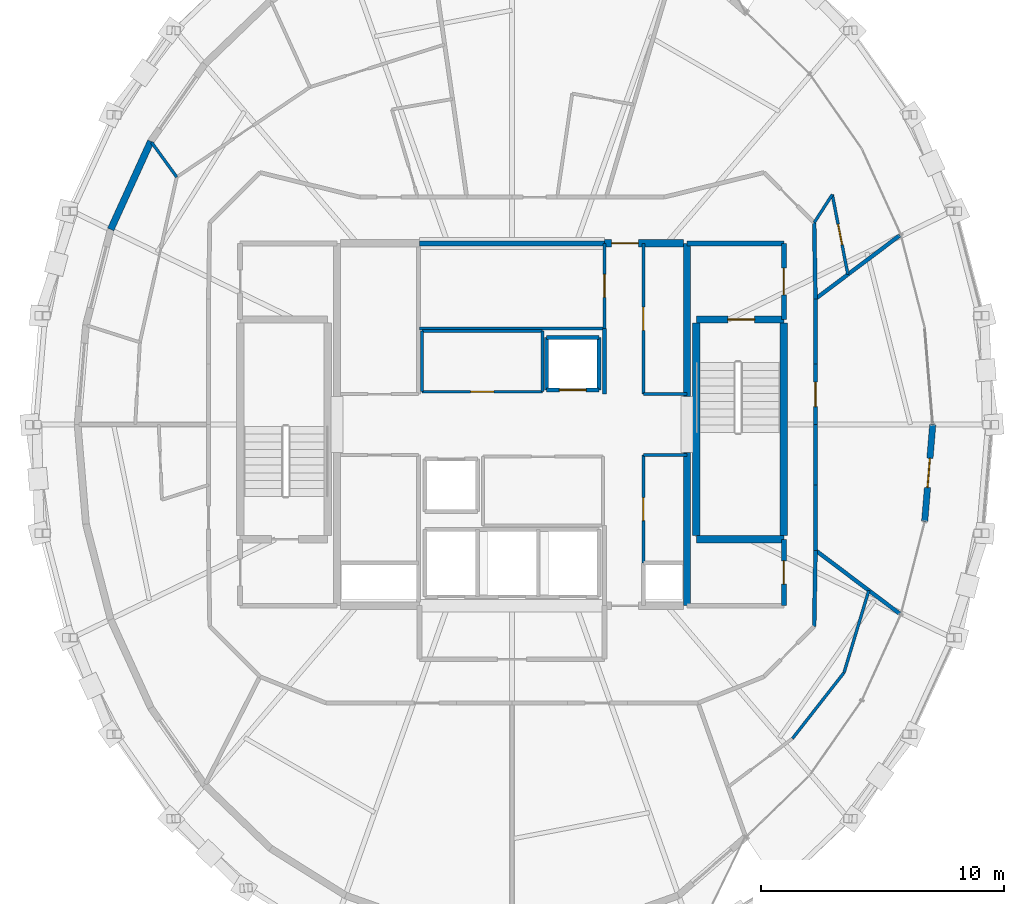
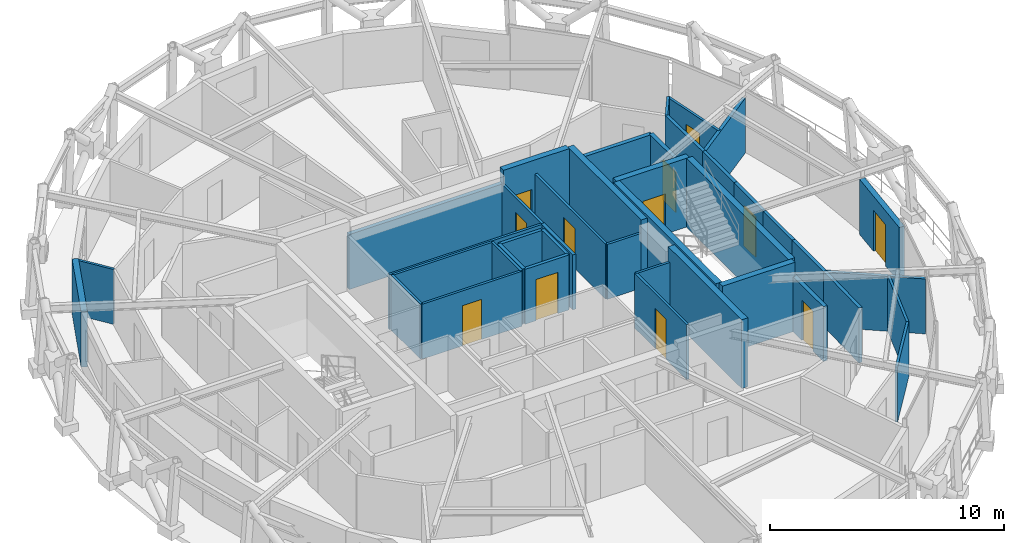
# One storey, part 13 of 15: 41 walls, 12 doors, 12 openings.
"""IFC4 building model written with IfcOpenShell, lengths in metres."""

from ifc_helpers import new_model, si_unit, direction, frame, frame_2d, origin, place, context, subcontext, project, spatial, rectangle, extrude, material, layer, layer_set, type_object, element, fill, save


model = new_model("IFC4")

# Units and contexts
model_context = context("Model", 3, precision=1e-05, world=origin(), true_north=direction((0.0, 1.0)))
body_context = subcontext(model_context, "Body", "Model", "MODEL_VIEW")
ifc_project = project(units=[si_unit("LENGTHUNIT", "METRE"), si_unit("AREAUNIT", "SQUARE_METRE"), si_unit("VOLUMEUNIT", "CUBIC_METRE"), si_unit("PLANEANGLEUNIT", "RADIAN"), si_unit("MASSUNIT", "GRAM", prefix="KILO")], contexts=[model_context])

# Site, building, storey
site_placement = place(None, origin())
site = spatial("IfcSite", under=ifc_project, at=site_placement, CompositionType="ELEMENT")
building_placement = place(site_placement, origin())
building = spatial("IfcBuilding", under=site, at=building_placement, Name="Veldorina Hangang Commons", CompositionType="ELEMENT")
storey_placement = place(building_placement, frame((0.0, 0.0, 290.39990234375)))
storey = spatial("IfcBuildingStorey", under=building, at=storey_placement, Name="L76", CompositionType="ELEMENT", Elevation=290.39990234375)

# Walls
ifc_material_1 = material(Name="Concrete C50/60", Category="concrete")
ifc_layer_1 = layer(ifc_material_1, 0.300048828125)
ifc_layer_set_1 = layer_set([ifc_layer_1], Name="Concrete C50/60")
wall_type_1 = type_object("IfcWallType", Name="CW-RC300-C50", PredefinedType="SHEAR", material=ifc_layer_set_1)
for number, where, z_axis, x_axis, name in (
    (1, (39.199951171875, 16.550048828125, 0.0), (0.0, 0.0, 1.0), (0.0, 1.0, 0.0), "L76 E south core shear wall"),
    (2, (39.199951171875, 25.14990234375, 0.0), (0.0, 0.0, 1.0), (0.0, 1.0, 0.0), "L76 E north core shear wall"),
):
    element("IfcWall", number, at=place(storey_placement, frame(where, z_axis=z_axis, x_axis=x_axis)), inside=storey, type_object=wall_type_1, Name=name, PredefinedType="SHEAR", context=body_context, shape_type="SweptSolid", body=[
        extrude(rectangle(XDim=6.300048828125, YDim=0.300048828125, at=frame_2d((3.14990234375, 0.0))), origin(), (0.0, 0.0, 1.0), 3.60009765625),
    ])

# Wall, opening, door
wall_1_placement = place(storey_placement, frame((35.800048828125, 31.449951171875, 0.0), z_axis=(0.0, 0.0, 1.0), x_axis=(1.0, 0.0, 0.0)))
wall_1 = element("IfcWall", 3, at=wall_1_placement, inside=storey, type_object=wall_type_1, Name="L76 north-east core shear wall", PredefinedType="SHEAR", context=body_context, shape_type="SweptSolid", body=[
    extrude(rectangle(XDim=3.25, YDim=0.300048828125, at=frame_2d((1.625, 0.0))), origin(), (0.0, 0.0, 1.0), 3.60009765625),
])
opening_1_placement = place(wall_1_placement, frame((0.300048828125, 0.0, 0.0)))
opening_1 = element("IfcOpeningElement", 4, at=opening_1_placement, cuts=wall_1, Name="Opening D-08", PredefinedType="OPENING", context=body_context, shape_type="SweptSolid", body=[
    extrude(rectangle(XDim=1.10009765625, YDim=2.10009765625, at=frame_2d((0.550048828125, 1.050048828125))), frame((0.0, 0.16015625, 0.0), z_axis=(0.0, -1.0, 0.0), x_axis=(1.0, 0.0, 0.0)), (0.0, 0.0, 1.0), 0.320068359375),
])
ifc_material_2 = material(Name="Steel Fire-Rated Smoke Seal", Category="steel")
door_type_1 = type_object("IfcDoorType", Name="DR-FIRE-1100", OperationType="SINGLE_SWING_RIGHT", PredefinedType="DOOR", material=ifc_material_2)
door_1_placement = place(opening_1_placement, origin())
door_1 = element("IfcDoor", 5, at=door_1_placement, inside=storey, type_object=door_type_1, Name="L76 central lift lobby north corridor door", OperationType="SINGLE_SWING_LEFT", OverallHeight=2.10009765625, OverallWidth=1.10009765625, PredefinedType="DOOR", context=body_context, shape_type="SweptSolid", body=[
    extrude(rectangle(XDim=1.10009765625, YDim=2.10009765625, at=frame_2d((0.550048828125, 1.050048828125))), frame((0.0, 0.02490234375, 0.0), z_axis=(0.0, -1.0, 0.0), x_axis=(1.0, 0.0, 0.0)), (0.0, 0.0, 1.0), 0.050048828125),
])
fill(opening_1, door_1)

ifc_material_3 = material(Name="Stone Roman Travertine", Category="masonry")
ifc_layer_2 = layer(ifc_material_3, 0.260009765625)
ifc_layer_set_2 = layer_set([ifc_layer_2], Name="Stone Roman Travertine")
wall_type_2 = type_object("IfcWallType", Name="EW-LOGGIA-260", PredefinedType="STANDARD", material=ifc_layer_set_2)
wall_2_placement = place(storey_placement, frame((48.968994140625, 20.019287109375, 0.0), z_axis=(0.0, 0.0, 1.0), x_axis=(0.083182046928, 0.996534368233, 0.0)))
wall_2 = element("IfcWall", 6, at=wall_2_placement, inside=storey, type_object=wall_type_2, Name="L76 sky-garden loggia portal wall 31", PredefinedType="STANDARD", context=body_context, shape_type="SweptSolid", body=[
    extrude(rectangle(XDim=3.99462890625, YDim=0.260009765625, at=frame_2d((1.997314453125, 0.0))), origin(), (0.0, 0.0, 1.0), 2.880126953125),
])
opening_2_placement = place(wall_2_placement, frame((1.397216796875, 0.0, 0.0)))
opening_2 = element("IfcOpeningElement", 7, at=opening_2_placement, cuts=wall_2, Name="Opening BD-1200", PredefinedType="OPENING", context=body_context, shape_type="SweptSolid", body=[
    extrude(rectangle(XDim=1.199951171875, YDim=2.14990234375, at=frame_2d((0.60009765625, 1.074951171875))), frame((0.0, 0.14013671875, 0.0), z_axis=(0.0, -1.0, 0.0), x_axis=(1.0, 0.0, 0.0)), (0.0, 0.0, 1.0), 0.280029296875),
])
ifc_material_4 = material(Name="Glass Thermal Aluminium Frame", Category="aluminium")
door_type_2 = type_object("IfcDoorType", Name="DR-EXT-LOG1200", OperationType="SINGLE_SWING_LEFT", PredefinedType="DOOR", material=ifc_material_4)
door_2_placement = place(opening_2_placement, origin())
door_2 = element("IfcDoor", 8, at=door_2_placement, inside=storey, type_object=door_type_2, Name="L76 loggia glazed exterior door 31", OperationType="SINGLE_SWING_RIGHT", OverallHeight=2.14990234375, OverallWidth=1.199951171875, PredefinedType="DOOR", context=body_context, shape_type="SweptSolid", body=[
    extrude(rectangle(XDim=1.199951171875, YDim=2.14990234375, at=frame_2d((0.60009765625, 1.074951171875))), frame((0.0, 0.02490234375, 0.0), z_axis=(0.0, -1.0, 0.0), x_axis=(1.0, 0.0, 0.0)), (0.0, 0.0, 1.0), 0.050048828125),
])
fill(opening_2, door_2)

# Walls
ifc_layer_3 = layer(ifc_material_3, 0.280029296875)
ifc_layer_set_3 = layer_set([ifc_layer_3], Name="Stone Roman Travertine")
wall_type_3 = type_object("IfcWallType", Name="EW-TRAV-280", PredefinedType="STANDARD", material=ifc_layer_set_3)
wall_3_placement = place(storey_placement, frame((17.14892578125, 35.647216796875, 0.0), z_axis=(0.0, 0.0, 1.0), x_axis=(-0.414454053433, -0.910070237725, 0.0)))
element("IfcWall", 9, at=wall_3_placement, inside=storey, type_object=wall_type_3, Name="L76 travertine facade wall 13", PredefinedType="STANDARD", context=body_context, shape_type="SweptSolid", body=[
    extrude(rectangle(XDim=3.982666015625, YDim=0.280029296875, at=frame_2d((1.9912109375, 0.0))), origin(), (0.0, 0.0, 1.0), 2.880126953125),
])
ifc_layer_4 = layer(ifc_material_1, 0.300048828125)
ifc_layer_set_4 = layer_set([ifc_layer_4], Name="Concrete C50/60")
wall_type_4 = type_object("IfcWallType", Name="SW-STAIR-300", PredefinedType="SHEAR", material=ifc_layer_set_4)
for number, where, z_axis, x_axis, name in (
    (10, (43.179931640625, 19.429931640625, 0.0), (0.0, 0.0, 1.0), (0.0, 1.0, 0.0), "L76 ST2 outer stair shear wall"),
    (11, (39.580078125, 19.429931640625, 0.0), (0.0, 0.0, 1.0), (0.0, 1.0, 0.0), "L76 ST2 inner stair shear wall"),
):
    element("IfcWall", number, at=place(storey_placement, frame(where, z_axis=z_axis, x_axis=x_axis)), inside=storey, type_object=wall_type_4, Name=name, PredefinedType="SHEAR", context=body_context, shape_type="SweptSolid", body=[
        extrude(rectangle(XDim=8.739990234375, YDim=0.300048828125, at=frame_2d((4.3701171875, 0.0))), origin(), (0.0, 0.0, 1.0), 3.60009765625),
    ])
wall_4_placement = place(storey_placement, frame((39.580078125, 19.280029296875, 0.0), z_axis=(0.0, 0.0, 1.0), x_axis=(1.0, 0.0, 0.0)))
element("IfcWall", 12, at=wall_4_placement, inside=storey, type_object=wall_type_4, Name="L76 ST2 south stair shear wall", PredefinedType="SHEAR", context=body_context, shape_type="SweptSolid", body=[
    extrude(rectangle(XDim=3.599853515625, YDim=0.300048828125, at=frame_2d((1.7998046875, 0.0))), origin(), (0.0, 0.0, 1.0), 3.60009765625),
])

# Wall, opening, door
wall_5_placement = place(storey_placement, frame((39.580078125, 28.320068359375, 0.0), z_axis=(0.0, 0.0, 1.0), x_axis=(1.0, 0.0, 0.0)))
wall_5 = element("IfcWall", 13, at=wall_5_placement, inside=storey, type_object=wall_type_4, Name="L76 ST2 north stair shear wall", PredefinedType="SHEAR", context=body_context, shape_type="SweptSolid", body=[
    extrude(rectangle(XDim=3.599853515625, YDim=0.300048828125, at=frame_2d((1.7998046875, 0.0))), origin(), (0.0, 0.0, 1.0), 3.60009765625),
])
opening_3_placement = place(wall_5_placement, frame((1.300048828125, 0.0, 0.0)))
opening_3 = element("IfcOpeningElement", 14, at=opening_3_placement, cuts=wall_5, Name="Opening D-08", PredefinedType="OPENING", context=body_context, shape_type="SweptSolid", body=[
    extrude(rectangle(XDim=1.10009765625, YDim=2.10009765625, at=frame_2d((0.550048828125, 1.050048828125))), frame((0.0, 0.16015625, 0.0), z_axis=(0.0, -1.0, 0.0), x_axis=(1.0, 0.0, 0.0)), (0.0, 0.0, 1.0), 0.320068359375),
])
door_3_placement = place(opening_3_placement, origin())
door_3 = element("IfcDoor", 15, at=door_3_placement, inside=storey, type_object=door_type_1, Name="L76 Special Escape Stair ST-2 door", OperationType="SINGLE_SWING_RIGHT", OverallHeight=2.10009765625, OverallWidth=1.10009765625, PredefinedType="DOOR", context=body_context, shape_type="SweptSolid", body=[
    extrude(rectangle(XDim=1.10009765625, YDim=2.10009765625, at=frame_2d((0.550048828125, 1.050048828125))), frame((0.0, 0.02490234375, 0.0), z_axis=(0.0, -1.0, 0.0), x_axis=(1.0, 0.0, 0.0)), (0.0, 0.0, 1.0), 0.050048828125),
])
fill(opening_3, door_3)

# Wall
ifc_material_5 = material(Name="Gypsum Fire-Rated Twin Stud Wall", Category="gypsum")
ifc_layer_5 = layer(ifc_material_5, 0.159912109375)
ifc_layer_set_5 = layer_set([ifc_layer_5], Name="Gypsum Fire-Rated Twin Stud Wall")
wall_type_5 = type_object("IfcWallType", Name="WL-FIRE-160", PredefinedType="SOLIDWALL", material=ifc_layer_set_5)
wall_6_placement = place(storey_placement, frame((35.800048828125, 25.25, 0.0), z_axis=(0.0, 0.0, 1.0), x_axis=(0.0, 1.0, 0.0)))
element("IfcWall", 16, at=wall_6_placement, inside=storey, type_object=wall_type_5, Name="L76 Lift passage NW lower wall 011", PredefinedType="SOLIDWALL", context=body_context, shape_type="SweptSolid", body=[
    extrude(rectangle(XDim=2.699951171875, YDim=0.159912109375, at=frame_2d((1.35009765625, 0.0))), origin(), (0.0, 0.0, 1.0), 2.8701171875),
])

# Wall, opening, door
wall_7_placement = place(storey_placement, frame((33.419921875, 25.419921875, 0.0), z_axis=(0.0, 0.0, 1.0), x_axis=(1.0, 0.0, 0.0)))
wall_7 = element("IfcWall", 17, at=wall_7_placement, inside=storey, type_object=wall_type_5, Name="L76 Mid-high front shaft wall 015", PredefinedType="SOLIDWALL", context=body_context, shape_type="SweptSolid", body=[
    extrude(rectangle(XDim=2.16015625, YDim=0.159912109375, at=frame_2d((1.080078125, 0.0))), origin(), (0.0, 0.0, 1.0), 2.8701171875),
])
opening_4_placement = place(wall_7_placement, frame((0.530029296875, 0.0, 0.0)))
opening_4 = element("IfcOpeningElement", 18, at=opening_4_placement, cuts=wall_7, Name="Opening LD-01", PredefinedType="OPENING", context=body_context, shape_type="SweptSolid", body=[
    extrude(rectangle(XDim=1.10009765625, YDim=2.14990234375, at=frame_2d((0.550048828125, 1.074951171875))), frame((0.0, 0.08984375, 0.0), z_axis=(0.0, -1.0, 0.0), x_axis=(1.0, 0.0, 0.0)), (0.0, 0.0, 1.0), 0.179931640625),
])
ifc_material_6 = material(Name="Stainless Steel Brushed Lift Door", Category="steel")
door_type_3 = type_object("IfcDoorType", Name="DR-LIFT-1100", OperationType="SLIDING_TO_LEFT", PredefinedType="DOOR", material=ifc_material_6)
door_4_placement = place(opening_4_placement, origin())
door_4 = element("IfcDoor", 19, at=door_4_placement, inside=storey, type_object=door_type_3, Name="L76 Lift PL-H1 landing door 006", OperationType="SLIDING_TO_RIGHT", OverallHeight=2.14990234375, OverallWidth=1.10009765625, PredefinedType="DOOR", context=body_context, shape_type="SweptSolid", body=[
    extrude(rectangle(XDim=1.10009765625, YDim=2.14990234375, at=frame_2d((0.550048828125, 1.074951171875))), frame((0.0, 0.02490234375, 0.0), z_axis=(0.0, -1.0, 0.0), x_axis=(1.0, 0.0, 0.0)), (0.0, 0.0, 1.0), 0.050048828125),
])
fill(opening_4, door_4)

# Walls
for number, where, z_axis, x_axis, name in (
    (20, (33.419921875, 27.580078125, 0.0), (0.0, 0.0, 1.0), (1.0, 0.0, 0.0), "L76 Mid-high rear shaft wall 016"),
    (21, (33.419921875, 25.419921875, 0.0), (0.0, 0.0, 1.0), (0.0, 1.0, 0.0), "L76 PL-H1 west shaft wall 017"),
    (22, (35.580078125, 25.419921875, 0.0), (0.0, 0.0, 1.0), (0.0, 1.0, 0.0), "L76 PL-H1 east shaft wall 018"),
):
    element("IfcWall", number, at=place(storey_placement, frame(where, z_axis=z_axis, x_axis=x_axis)), inside=storey, type_object=wall_type_5, Name=name, PredefinedType="SOLIDWALL", context=body_context, shape_type="SweptSolid", body=[
        extrude(rectangle(XDim=2.16015625, YDim=0.159912109375, at=frame_2d((1.080078125, 0.0))), origin(), (0.0, 0.0, 1.0), 2.8701171875),
    ])

# Wall, opening, door
wall_8_placement = place(storey_placement, frame((44.47998046875, 24.0, 0.0), z_axis=(0.0, 0.0, 1.0), x_axis=(0.0, 1.0, 0.0)))
wall_8 = element("IfcWall", 23, at=wall_8_placement, inside=storey, type_object=wall_type_5, Name="L76 Compact collar outer wall 00 050", PredefinedType="SOLIDWALL", context=body_context, shape_type="SweptSolid", body=[
    extrude(rectangle(XDim=2.482421875, YDim=0.159912109375, at=frame_2d((1.2412109375, 0.0))), origin(), (0.0, 0.0, 1.0), 2.8701171875),
])
opening_5_placement = place(wall_8_placement, frame((0.7412109375, 0.0, 0.0)))
opening_5 = element("IfcOpeningElement", 24, at=opening_5_placement, cuts=wall_8, Name="Opening D-05", PredefinedType="OPENING", context=body_context, shape_type="SweptSolid", body=[
    extrude(rectangle(XDim=1.0, YDim=2.10009765625, at=frame_2d((0.5, 1.050048828125))), frame((0.0, 0.08984375, 0.0), z_axis=(0.0, -1.0, 0.0), x_axis=(1.0, 0.0, 0.0)), (0.0, 0.0, 1.0), 0.179931640625),
])
ifc_material_7 = material(Name="Timber Solid Core Acoustic", Category="wood")
door_type_4 = type_object("IfcDoorType", Name="DR-INT-1000", OperationType="SINGLE_SWING_RIGHT", PredefinedType="DOOR", material=ifc_material_7)
door_5_placement = place(opening_5_placement, origin())
door_5 = element("IfcDoor", 25, at=door_5_placement, inside=storey, type_object=door_type_4, Name="L76 Sky-Garden Commons Lounge door 018", OperationType="SINGLE_SWING_RIGHT", OverallHeight=2.10009765625, OverallWidth=1.0, PredefinedType="DOOR", context=body_context, shape_type="SweptSolid", body=[
    extrude(rectangle(XDim=1.0, YDim=2.10009765625, at=frame_2d((0.5, 1.050048828125))), frame((0.0, 0.02490234375, 0.0), z_axis=(0.0, -1.0, 0.0), x_axis=(1.0, 0.0, 0.0)), (0.0, 0.0, 1.0), 0.050048828125),
])
fill(opening_5, door_5)

# Walls
wall_9_placement = place(storey_placement, frame((44.47998046875, 26.482421875, 0.0), z_axis=(0.0, 0.0, 1.0), x_axis=(0.0, 1.0, 0.0)))
element("IfcWall", 26, at=wall_9_placement, inside=storey, type_object=wall_type_5, Name="L76 Compact collar outer wall 01 051", PredefinedType="SOLIDWALL", context=body_context, shape_type="SweptSolid", body=[
    extrude(rectangle(XDim=2.68701171875, YDim=0.159912109375, at=frame_2d((1.343505859375, 0.0))), origin(), (0.0, 0.0, 1.0), 2.8701171875),
])
for number, where, z_axis, x_axis, name in (
    (27, (44.47998046875, 29.16943359375, 0.0), (0.0, 0.0, 1.0), (-0.016981035134, 0.999855811828, 0.0), "L76 Compact collar outer wall 02 052"),
    (28, (44.4267578125, 15.69677734375, 0.0), (0.0, 0.0, 1.0), (0.016981035134, 0.999855811828, 0.0), "L76 Compact collar outer wall 29 079"),
):
    element("IfcWall", number, at=place(storey_placement, frame(where, z_axis=z_axis, x_axis=x_axis)), inside=storey, type_object=wall_type_5, Name=name, PredefinedType="SOLIDWALL", context=body_context, shape_type="SweptSolid", body=[
        extrude(rectangle(XDim=3.13427734375, YDim=0.159912109375, at=frame_2d((1.567138671875, 0.0))), origin(), (0.0, 0.0, 1.0), 2.8701171875),
    ])
wall_10_placement = place(storey_placement, frame((44.47998046875, 18.83056640625, 0.0), z_axis=(0.0, 0.0, 1.0), x_axis=(0.0, 1.0, 0.0)))
element("IfcWall", 29, at=wall_10_placement, inside=storey, type_object=wall_type_5, Name="L76 Compact collar outer wall 30 080", PredefinedType="SOLIDWALL", context=body_context, shape_type="SweptSolid", body=[
    extrude(rectangle(XDim=2.68701171875, YDim=0.159912109375, at=frame_2d((1.343505859375, 0.0))), origin(), (0.0, 0.0, 1.0), 2.8701171875),
])
wall_11_placement = place(storey_placement, frame((44.47998046875, 21.517578125, 0.0), z_axis=(0.0, 0.0, 1.0), x_axis=(0.0, 1.0, 0.0)))
element("IfcWall", 30, at=wall_11_placement, inside=storey, type_object=wall_type_5, Name="L76 Compact collar outer wall 31 081", PredefinedType="SOLIDWALL", context=body_context, shape_type="SweptSolid", body=[
    extrude(rectangle(XDim=2.482421875, YDim=0.159912109375, at=frame_2d((1.2412109375, 0.0))), origin(), (0.0, 0.0, 1.0), 2.8701171875),
])
for number, where, z_axis, x_axis, name in (
    (31, (44.47998046875, 18.83056640625, 0.0), (0.0, 0.0, 1.0), (0.798823029679, -0.6015660955, 0.0), "L76 Unit party wall 30 082"),
    (32, (44.47998046875, 29.16943359375, 0.0), (0.0, 0.0, 1.0), (0.798823029679, 0.6015660955, 0.0), "L76 Unit party wall 02 083"),
):
    element("IfcWall", number, at=place(storey_placement, frame(where, z_axis=z_axis, x_axis=x_axis)), inside=storey, type_object=wall_type_5, Name=name, PredefinedType="SOLIDWALL", context=body_context, shape_type="SweptSolid", body=[
        extrude(rectangle(XDim=4.3369140625, YDim=0.159912109375, at=frame_2d((2.16845703125, 0.0))), origin(), (0.0, 0.0, 1.0), 2.8701171875),
    ])

# Wall, opening, door
ifc_material_8 = material(Name="Concrete Blockwork Fire Wall C30/37", Category="masonry")
ifc_layer_6 = layer(ifc_material_8, 0.199951171875)
ifc_layer_set_6 = layer_set([ifc_layer_6], Name="Concrete Blockwork Fire Wall C30/37")
wall_type_6 = type_object("IfcWallType", Name="WL-FIRE-200", PredefinedType="SOLIDWALL", material=ifc_layer_set_6)
wall_12_placement = place(storey_placement, frame((43.179931640625, 28.320068359375, 0.0), z_axis=(0.0, 0.0, 1.0), x_axis=(0.0, 1.0, 0.0)))
wall_12 = element("IfcWall", 33, at=wall_12_placement, inside=storey, type_object=wall_type_6, Name="L76 East vestibule outer wall 003", PredefinedType="SOLIDWALL", context=body_context, shape_type="SweptSolid", body=[
    extrude(rectangle(XDim=3.1298828125, YDim=0.199951171875, at=frame_2d((1.56494140625, 0.0))), origin(), (0.0, 0.0, 1.0), 2.8701171875),
])
opening_6_placement = place(wall_12_placement, frame((1.014892578125, 0.0, 0.0)))
opening_6 = element("IfcOpeningElement", 34, at=opening_6_placement, cuts=wall_12, Name="Opening D-08", PredefinedType="OPENING", context=body_context, shape_type="SweptSolid", body=[
    extrude(rectangle(XDim=1.10009765625, YDim=2.10009765625, at=frame_2d((0.550048828125, 1.050048828125))), frame((0.0, 0.10986328125, 0.0), z_axis=(0.0, -1.0, 0.0), x_axis=(1.0, 0.0, 0.0)), (0.0, 0.0, 1.0), 0.219970703125),
])
door_6_placement = place(opening_6_placement, origin())
door_6 = element("IfcDoor", 35, at=door_6_placement, inside=storey, type_object=door_type_1, Name="L76 East vestibule east door 002", OperationType="SINGLE_SWING_RIGHT", OverallHeight=2.10009765625, OverallWidth=1.10009765625, PredefinedType="DOOR", context=body_context, shape_type="SweptSolid", body=[
    extrude(rectangle(XDim=1.10009765625, YDim=2.10009765625, at=frame_2d((0.550048828125, 1.050048828125))), frame((0.0, 0.02490234375, 0.0), z_axis=(0.0, -1.0, 0.0), x_axis=(1.0, 0.0, 0.0)), (0.0, 0.0, 1.0), 0.050048828125),
])
fill(opening_6, door_6)

# Wall
wall_13_placement = place(storey_placement, frame((39.199951171875, 31.449951171875, 0.0), z_axis=(0.0, 0.0, 1.0), x_axis=(1.0, 0.0, 0.0)))
element("IfcWall", 36, at=wall_13_placement, inside=storey, type_object=wall_type_6, Name="L76 East vestibule north wall 004", PredefinedType="SOLIDWALL", context=body_context, shape_type="SweptSolid", body=[
    extrude(rectangle(XDim=3.97998046875, YDim=0.199951171875, at=frame_2d((1.989990234375, 0.0))), origin(), (0.0, 0.0, 1.0), 2.8701171875),
])

# Wall, opening, door
wall_14_placement = place(storey_placement, frame((43.179931640625, 16.550048828125, 0.0), z_axis=(0.0, 0.0, 1.0), x_axis=(0.0, 1.0, 0.0)))
wall_14 = element("IfcWall", 37, at=wall_14_placement, inside=storey, type_object=wall_type_6, Name="L76 SE core room outer wall 007", PredefinedType="SOLIDWALL", context=body_context, shape_type="SweptSolid", body=[
    extrude(rectangle(XDim=2.72998046875, YDim=0.199951171875, at=frame_2d((1.364990234375, 0.0))), origin(), (0.0, 0.0, 1.0), 2.8701171875),
])
opening_7_placement = place(wall_14_placement, frame((0.889892578125, 0.0, 0.0)))
opening_7 = element("IfcOpeningElement", 38, at=opening_7_placement, cuts=wall_14, Name="Opening D-02", PredefinedType="OPENING", context=body_context, shape_type="SweptSolid", body=[
    extrude(rectangle(XDim=0.949951171875, YDim=2.10009765625, at=frame_2d((0.47509765625, 1.050048828125))), frame((0.0, 0.10986328125, 0.0), z_axis=(0.0, -1.0, 0.0), x_axis=(1.0, 0.0, 0.0)), (0.0, 0.0, 1.0), 0.219970703125),
])
door_type_5 = type_object("IfcDoorType", Name="DR-INT-950", OperationType="SINGLE_SWING_LEFT", PredefinedType="DOOR", material=ifc_material_7)
door_7_placement = place(opening_7_placement, origin())
door_7 = element("IfcDoor", 39, at=door_7_placement, inside=storey, type_object=door_type_5, Name="L76 SE core WC door 004", OperationType="SINGLE_SWING_RIGHT", OverallHeight=2.10009765625, OverallWidth=0.949951171875, PredefinedType="DOOR", context=body_context, shape_type="SweptSolid", body=[
    extrude(rectangle(XDim=0.949951171875, YDim=2.10009765625, at=frame_2d((0.47509765625, 1.050048828125))), frame((0.0, 0.02490234375, 0.0), z_axis=(0.0, -1.0, 0.0), x_axis=(1.0, 0.0, 0.0)), (0.0, 0.0, 1.0), 0.050048828125),
])
fill(opening_7, door_7)

# Walls
wall_15_placement = place(storey_placement, frame((28.199951171875, 31.449951171875, 0.0), z_axis=(0.0, 0.0, 1.0), x_axis=(1.0, 0.0, 0.0)))
element("IfcWall", 40, at=wall_15_placement, inside=storey, type_object=wall_type_6, Name="L76 Merged north core wall 029", PredefinedType="SOLIDWALL", context=body_context, shape_type="SweptSolid", body=[
    extrude(rectangle(XDim=7.60009765625, YDim=0.199951171875, at=frame_2d((3.800048828125, 0.0))), origin(), (0.0, 0.0, 1.0), 2.8701171875),
])
ifc_material_9 = material(Name="Gypsum Acoustic Stud Partition", Category="gypsum")
ifc_layer_7 = layer(ifc_material_9, 0.1201171875)
ifc_layer_set_7 = layer_set([ifc_layer_7], Name="Gypsum Acoustic Stud Partition")
wall_type_7 = type_object("IfcWallType", Name="WL-PART-120", PredefinedType="PARTITIONING", material=ifc_layer_set_7)
wall_16_placement = place(storey_placement, frame((28.199951171875, 27.949951171875, 0.0), z_axis=(0.0, 0.0, 1.0), x_axis=(1.0, 0.0, 0.0)))
element("IfcWall", 41, at=wall_16_placement, inside=storey, type_object=wall_type_7, Name="L76 Merged north south wall 030", PredefinedType="PARTITIONING", context=body_context, shape_type="SweptSolid", body=[
    extrude(rectangle(XDim=7.60009765625, YDim=0.1201171875, at=frame_2d((3.800048828125, 0.0))), origin(), (0.0, 0.0, 1.0), 2.8701171875),
])

# Wall, opening, door
wall_17_placement = place(storey_placement, frame((35.800048828125, 27.949951171875, 0.0), z_axis=(0.0, 0.0, 1.0), x_axis=(0.0, 1.0, 0.0)))
wall_17 = element("IfcWall", 42, at=wall_17_placement, inside=storey, type_object=wall_type_7, Name="L76 Merged north east wall 031", PredefinedType="PARTITIONING", context=body_context, shape_type="SweptSolid", body=[
    extrude(rectangle(XDim=3.5, YDim=0.1201171875, at=frame_2d((1.75, 0.0))), origin(), (0.0, 0.0, 1.0), 2.8701171875),
])
opening_8_placement = place(wall_17_placement, frame((1.27490234375, 0.0, 0.0)))
opening_8 = element("IfcOpeningElement", 43, at=opening_8_placement, cuts=wall_17, Name="Opening D-02", PredefinedType="OPENING", context=body_context, shape_type="SweptSolid", body=[
    extrude(rectangle(XDim=0.949951171875, YDim=2.10009765625, at=frame_2d((0.47509765625, 1.050048828125))), frame((0.0, 0.070068359375, 0.0), z_axis=(0.0, -1.0, 0.0), x_axis=(1.0, 0.0, 0.0)), (0.0, 0.0, 1.0), 0.14013671875),
])
door_8_placement = place(opening_8_placement, origin())
door_8 = element("IfcDoor", 44, at=door_8_placement, inside=storey, type_object=door_type_5, Name="L76 Merged north room lobby door 011", OperationType="SINGLE_SWING_LEFT", OverallHeight=2.10009765625, OverallWidth=0.949951171875, PredefinedType="DOOR", context=body_context, shape_type="SweptSolid", body=[
    extrude(rectangle(XDim=0.949951171875, YDim=2.10009765625, at=frame_2d((0.47509765625, 1.050048828125))), frame((0.0, 0.02490234375, 0.0), z_axis=(0.0, -1.0, 0.0), x_axis=(1.0, 0.0, 0.0)), (0.0, 0.0, 1.0), 0.050048828125),
])
fill(opening_8, door_8)

wall_18_placement = place(storey_placement, frame((28.300048828125, 25.35009765625, 0.0), z_axis=(0.0, 0.0, 1.0), x_axis=(1.0, 0.0, 0.0)))
wall_18 = element("IfcWall", 45, at=wall_18_placement, inside=storey, type_object=wall_type_7, Name="L76 Merged mid-bank south wall 032", PredefinedType="PARTITIONING", context=body_context, shape_type="SweptSolid", body=[
    extrude(rectangle(XDim=4.949951171875, YDim=0.1201171875, at=frame_2d((2.47509765625, 0.0))), origin(), (0.0, 0.0, 1.0), 2.8701171875),
])
opening_9_placement = place(wall_18_placement, frame((2.0, 0.0, 0.0)))
opening_9 = element("IfcOpeningElement", 46, at=opening_9_placement, cuts=wall_18, Name="Opening D-02", PredefinedType="OPENING", context=body_context, shape_type="SweptSolid", body=[
    extrude(rectangle(XDim=0.949951171875, YDim=2.10009765625, at=frame_2d((0.47509765625, 1.050048828125))), frame((0.0, 0.070068359375, 0.0), z_axis=(0.0, -1.0, 0.0), x_axis=(1.0, 0.0, 0.0)), (0.0, 0.0, 1.0), 0.14013671875),
])
door_9_placement = place(opening_9_placement, origin())
door_9 = element("IfcDoor", 47, at=door_9_placement, inside=storey, type_object=door_type_5, Name="L76 Quiet study room door 012", OperationType="SINGLE_SWING_RIGHT", OverallHeight=2.10009765625, OverallWidth=0.949951171875, PredefinedType="DOOR", context=body_context, shape_type="SweptSolid", body=[
    extrude(rectangle(XDim=0.949951171875, YDim=2.10009765625, at=frame_2d((0.47509765625, 1.050048828125))), frame((0.0, 0.02490234375, 0.0), z_axis=(0.0, -1.0, 0.0), x_axis=(1.0, 0.0, 0.0)), (0.0, 0.0, 1.0), 0.050048828125),
])
fill(opening_9, door_9)

# Walls
wall_19_placement = place(storey_placement, frame((28.300048828125, 27.85009765625, 0.0), z_axis=(0.0, 0.0, 1.0), x_axis=(1.0, 0.0, 0.0)))
element("IfcWall", 48, at=wall_19_placement, inside=storey, type_object=wall_type_7, Name="L76 Merged mid-bank north wall 033", PredefinedType="PARTITIONING", context=body_context, shape_type="SweptSolid", body=[
    extrude(rectangle(XDim=4.949951171875, YDim=0.1201171875, at=frame_2d((2.47509765625, 0.0))), origin(), (0.0, 0.0, 1.0), 2.8701171875),
])
for number, where, z_axis, x_axis, name in (
    (49, (28.300048828125, 25.35009765625, 0.0), (0.0, 0.0, 1.0), (0.0, 1.0, 0.0), "L76 Merged mid-bank west wall 034"),
    (50, (33.25, 25.35009765625, 0.0), (0.0, 0.0, 1.0), (0.0, 1.0, 0.0), "L76 Merged mid-bank east wall 035"),
):
    element("IfcWall", number, at=place(storey_placement, frame(where, z_axis=z_axis, x_axis=x_axis)), inside=storey, type_object=wall_type_7, Name=name, PredefinedType="PARTITIONING", context=body_context, shape_type="SweptSolid", body=[
        extrude(rectangle(XDim=2.5, YDim=0.1201171875, at=frame_2d((1.25, 0.0))), origin(), (0.0, 0.0, 1.0), 2.8701171875),
    ])

# Wall, opening, door
wall_20_placement = place(storey_placement, frame((37.39990234375, 25.25, 0.0), z_axis=(0.0, 0.0, 1.0), x_axis=(0.0, 1.0, 0.0)))
wall_20 = element("IfcWall", 51, at=wall_20_placement, inside=storey, type_object=wall_type_7, Name="L76 NE strip lobby wall 046", PredefinedType="PARTITIONING", context=body_context, shape_type="SweptSolid", body=[
    extrude(rectangle(XDim=6.199951171875, YDim=0.1201171875, at=frame_2d((3.10009765625, 0.0))), origin(), (0.0, 0.0, 1.0), 2.8701171875),
])
opening_10_placement = place(wall_20_placement, frame((2.625, 0.0, 0.0)))
opening_10 = element("IfcOpeningElement", 52, at=opening_10_placement, cuts=wall_20, Name="Opening D-02", PredefinedType="OPENING", context=body_context, shape_type="SweptSolid", body=[
    extrude(rectangle(XDim=0.949951171875, YDim=2.10009765625, at=frame_2d((0.47509765625, 1.050048828125))), frame((0.0, 0.070068359375, 0.0), z_axis=(0.0, -1.0, 0.0), x_axis=(1.0, 0.0, 0.0)), (0.0, 0.0, 1.0), 0.14013671875),
])
door_10_placement = place(opening_10_placement, origin())
door_10 = element("IfcDoor", 53, at=door_10_placement, inside=storey, type_object=door_type_5, Name="L76 Comms room door 016", OperationType="SINGLE_SWING_RIGHT", OverallHeight=2.10009765625, OverallWidth=0.949951171875, PredefinedType="DOOR", context=body_context, shape_type="SweptSolid", body=[
    extrude(rectangle(XDim=0.949951171875, YDim=2.10009765625, at=frame_2d((0.47509765625, 1.050048828125))), frame((0.0, 0.02490234375, 0.0), z_axis=(0.0, -1.0, 0.0), x_axis=(1.0, 0.0, 0.0)), (0.0, 0.0, 1.0), 0.050048828125),
])
fill(opening_10, door_10)

# Wall
wall_21_placement = place(storey_placement, frame((37.39990234375, 25.25, 0.0), z_axis=(0.0, 0.0, 1.0), x_axis=(1.0, 0.0, 0.0)))
element("IfcWall", 54, at=wall_21_placement, inside=storey, type_object=wall_type_7, Name="L76 NE strip south return wall 047", PredefinedType="PARTITIONING", context=body_context, shape_type="SweptSolid", body=[
    extrude(rectangle(XDim=1.800048828125, YDim=0.1201171875, at=frame_2d((0.89990234375, 0.0))), origin(), (0.0, 0.0, 1.0), 2.8701171875),
])

# Wall, opening, door
wall_22_placement = place(storey_placement, frame((37.39990234375, 18.300048828125, 0.0), z_axis=(0.0, 0.0, 1.0), x_axis=(0.0, 1.0, 0.0)))
wall_22 = element("IfcWall", 55, at=wall_22_placement, inside=storey, type_object=wall_type_7, Name="L76 SE strip lobby wall 048", PredefinedType="PARTITIONING", context=body_context, shape_type="SweptSolid", body=[
    extrude(rectangle(XDim=4.449951171875, YDim=0.1201171875, at=frame_2d((2.22509765625, 0.0))), origin(), (0.0, 0.0, 1.0), 2.8701171875),
])
opening_11_placement = place(wall_22_placement, frame((1.75, 0.0, 0.0)))
opening_11 = element("IfcOpeningElement", 56, at=opening_11_placement, cuts=wall_22, Name="Opening D-02", PredefinedType="OPENING", context=body_context, shape_type="SweptSolid", body=[
    extrude(rectangle(XDim=0.949951171875, YDim=2.10009765625, at=frame_2d((0.47509765625, 1.050048828125))), frame((0.0, 0.070068359375, 0.0), z_axis=(0.0, -1.0, 0.0), x_axis=(1.0, 0.0, 0.0)), (0.0, 0.0, 1.0), 0.14013671875),
])
door_11_placement = place(opening_11_placement, origin())
door_11 = element("IfcDoor", 57, at=door_11_placement, inside=storey, type_object=door_type_5, Name="L76 BMS closet door 017", OperationType="SINGLE_SWING_LEFT", OverallHeight=2.10009765625, OverallWidth=0.949951171875, PredefinedType="DOOR", context=body_context, shape_type="SweptSolid", body=[
    extrude(rectangle(XDim=0.949951171875, YDim=2.10009765625, at=frame_2d((0.47509765625, 1.050048828125))), frame((0.0, 0.02490234375, 0.0), z_axis=(0.0, -1.0, 0.0), x_axis=(1.0, 0.0, 0.0)), (0.0, 0.0, 1.0), 0.050048828125),
])
fill(opening_11, door_11)

# Wall
wall_23_placement = place(storey_placement, frame((37.39990234375, 22.75, 0.0), z_axis=(0.0, 0.0, 1.0), x_axis=(1.0, 0.0, 0.0)))
element("IfcWall", 58, at=wall_23_placement, inside=storey, type_object=wall_type_7, Name="L76 SE strip north return wall 049", PredefinedType="PARTITIONING", context=body_context, shape_type="SweptSolid", body=[
    extrude(rectangle(XDim=1.800048828125, YDim=0.1201171875, at=frame_2d((0.89990234375, 0.0))), origin(), (0.0, 0.0, 1.0), 2.8701171875),
])

# Wall, opening, door
wall_24_placement = place(storey_placement, frame((45.8115234375, 30.172119140625, 0.0), z_axis=(0.0, 0.0, 1.0), x_axis=(-0.191482926261, 0.981495944439, 0.0)))
wall_24 = element("IfcWall", 59, at=wall_24_placement, inside=storey, type_object=wall_type_7, Name="L76 Studio 2 bath front wall 084", PredefinedType="PARTITIONING", context=body_context, shape_type="SweptSolid", body=[
    extrude(rectangle(XDim=3.345703125, YDim=0.1201171875, at=frame_2d((1.6728515625, 0.0))), origin(), (0.0, 0.0, 1.0), 2.8701171875),
])
opening_12_placement = place(wall_24_placement, frame((1.24267578125, 0.0, 0.0)))
opening_12 = element("IfcOpeningElement", 60, at=opening_12_placement, cuts=wall_24, Name="Opening D-01", PredefinedType="OPENING", context=body_context, shape_type="SweptSolid", body=[
    extrude(rectangle(XDim=0.860107421875, YDim=2.10009765625, at=frame_2d((0.43017578125, 1.050048828125))), frame((0.0, 0.070068359375, 0.0), z_axis=(0.0, -1.0, 0.0), x_axis=(1.0, 0.0, 0.0)), (0.0, 0.0, 1.0), 0.14013671875),
])
ifc_material_10 = material(Name="Timber Moisture-Resistant Core", Category="wood")
door_type_6 = type_object("IfcDoorType", Name="DR-WET-860", OperationType="SINGLE_SWING_LEFT", PredefinedType="DOOR", material=ifc_material_10)
door_12_placement = place(opening_12_placement, origin())
door_12 = element("IfcDoor", 61, at=door_12_placement, inside=storey, type_object=door_type_6, Name="L76 Studio 2 bathroom door 019", OperationType="SINGLE_SWING_LEFT", OverallHeight=2.10009765625, OverallWidth=0.860107421875, PredefinedType="DOOR", context=body_context, shape_type="SweptSolid", body=[
    extrude(rectangle(XDim=0.860107421875, YDim=2.10009765625, at=frame_2d((0.43017578125, 1.050048828125))), frame((0.0, 0.02490234375, 0.0), z_axis=(0.0, -1.0, 0.0), x_axis=(1.0, 0.0, 0.0)), (0.0, 0.0, 1.0), 0.050048828125),
])
fill(opening_12, door_12)

# Walls
wall_25_placement = place(storey_placement, frame((44.4267578125, 32.30322265625, 0.0), z_axis=(0.0, 0.0, 1.0), x_axis=(0.542402466018, 0.840118780207, 0.0)))
element("IfcWall", 62, at=wall_25_placement, inside=storey, type_object=wall_type_7, Name="L76 Studio 2 bath side wall 085", PredefinedType="PARTITIONING", context=body_context, shape_type="SweptSolid", body=[
    extrude(rectangle(XDim=1.371826171875, YDim=0.1201171875, at=frame_2d((0.68603515625, 0.0))), origin(), (0.0, 0.0, 1.0), 2.8701171875),
])
wall_26_placement = place(storey_placement, frame((18.215576171875, 34.17578125, 0.0), z_axis=(0.0, 0.0, 1.0), x_axis=(-0.586947198649, 0.809625213292, 0.0)))
element("IfcWall", 63, at=wall_26_placement, inside=storey, type_object=wall_type_7, Name="L76 Cluster 4 bed divider 2 096", PredefinedType="PARTITIONING", context=body_context, shape_type="SweptSolid", body=[
    extrude(rectangle(XDim=1.767333984375, YDim=0.1201171875, at=frame_2d((0.8837890625, 0.0))), origin(), (0.0, 0.0, 1.0), 2.8701171875),
])
wall_27_placement = place(storey_placement, frame((43.53466796875, 11.092041015625, 0.0), z_axis=(0.0, 0.0, 1.0), x_axis=(0.616264204791, 0.787539478307, 0.0)))
element("IfcWall", 64, at=wall_27_placement, inside=storey, type_object=wall_type_7, Name="L76 Laundry split 1 106", PredefinedType="PARTITIONING", context=body_context, shape_type="SweptSolid", body=[
    extrude(rectangle(XDim=3.436767578125, YDim=0.1201171875, at=frame_2d((1.71826171875, 0.0))), origin(), (0.0, 0.0, 1.0), 2.8701171875),
])
wall_28_placement = place(storey_placement, frame((45.652587890625, 13.798583984375, 0.0), z_axis=(0.0, 0.0, 1.0), x_axis=(0.289009374278, 0.957326267048, 0.0)))
element("IfcWall", 65, at=wall_28_placement, inside=storey, type_object=wall_type_7, Name="L76 Laundry split 2 107", PredefinedType="PARTITIONING", context=body_context, shape_type="SweptSolid", body=[
    extrude(rectangle(XDim=3.531005859375, YDim=0.1201171875, at=frame_2d((1.765625, 0.0))), origin(), (0.0, 0.0, 1.0), 2.8701171875),
])

save(model, "model.ifc")
